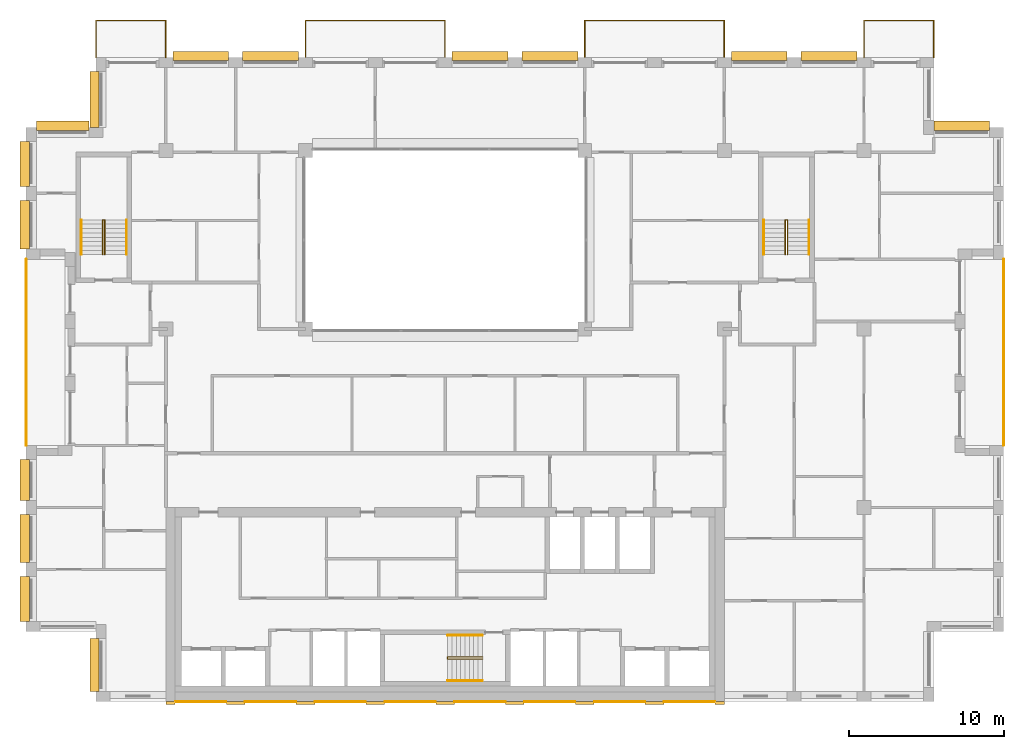
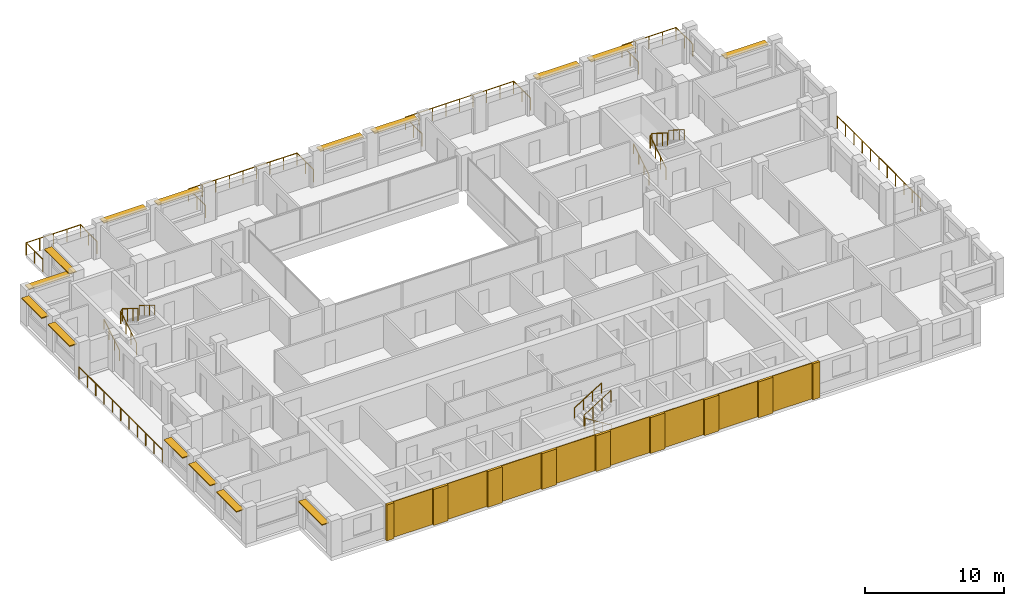
# One storey, part 15 of 15: 17 coverings, 15 railings, 15 shading devices.
"""IFC4 building model written with IfcOpenShell, lengths in metres."""

from ifc_helpers import new_model, si_unit, direction, frame, origin, origin_2d, place, context, subcontext, project, spatial, rectangle, circle, extrude, material, layer, layer_set, type_object, element, save


model = new_model("IFC4")

# Units and contexts
model_context = context("Model", 3, precision=1e-05, world=origin(), true_north=direction((0.0, 1.0)))
body_context = subcontext(model_context, "Body", "Model", "MODEL_VIEW")
ifc_project = project(units=[si_unit("LENGTHUNIT", "METRE"), si_unit("AREAUNIT", "SQUARE_METRE"), si_unit("VOLUMEUNIT", "CUBIC_METRE"), si_unit("PLANEANGLEUNIT", "RADIAN"), si_unit("MASSUNIT", "GRAM", prefix="KILO")], contexts=[model_context])

# Site, building, storey
site_placement = place(None, origin())
site = spatial("IfcSite", under=ifc_project, at=site_placement, CompositionType="ELEMENT")
building_placement = place(site_placement, origin())
building = spatial("IfcBuilding", under=site, at=building_placement, Name="Brigalow Station Residences", CompositionType="ELEMENT")
storey_placement = place(building_placement, frame((0.0, 0.0, 226.35009765625)))
storey = spatial("IfcBuildingStorey", under=building, at=storey_placement, Name="L65", CompositionType="ELEMENT", Elevation=226.35009765625)

# Railings
ifc_material_1 = material(Name="Stainless steel balustrade with laminated glass infill", Category="steel")
railing_type_1 = type_object("IfcRailingType", Name="BALCONY GUARD 1100", PredefinedType="GUARDRAIL", material=ifc_material_1)
railing_1_placement = place(storey_placement, frame((72.0, 16.5, -0.0400390625)))
element("IfcRailing", 1, at=railing_1_placement, inside=storey, type_object=railing_type_1, Name="L65/balcony-guard/1", PredefinedType="GUARDRAIL", context=body_context, shape_type="SweptSolid", body=[
    extrude(circle(Radius=0.02392578125, at=origin_2d()), frame((0.0, 0.0, 1.076171875), z_axis=(0.0, 1.0, 0.0), x_axis=(-1.0, 0.0, 0.0)), (0.0, 0.0, 1.0), 12.0),
    extrude(circle(Radius=0.02099609375, at=origin_2d()), origin(), (0.0, 0.0, 1.0), 1.052001953125),
    extrude(circle(Radius=0.02099609375, at=origin_2d()), frame((0.0, 1.199951171875, 0.0)), (0.0, 0.0, 1.0), 1.052001953125),
    extrude(circle(Radius=0.02099609375, at=origin_2d()), frame((0.0, 2.39990234375, 0.0)), (0.0, 0.0, 1.0), 1.052001953125),
    extrude(circle(Radius=0.02099609375, at=origin_2d()), frame((0.0, 3.60009765625, 0.0)), (0.0, 0.0, 1.0), 1.052001953125),
    extrude(circle(Radius=0.02099609375, at=origin_2d()), frame((0.0, 4.800048828125, 0.0)), (0.0, 0.0, 1.0), 1.052001953125),
    extrude(circle(Radius=0.02099609375, at=origin_2d()), frame((0.0, 6.0, 0.0)), (0.0, 0.0, 1.0), 1.052001953125),
    extrude(circle(Radius=0.02099609375, at=origin_2d()), frame((0.0, 7.199951171875, 0.0)), (0.0, 0.0, 1.0), 1.052001953125),
    extrude(circle(Radius=0.02099609375, at=origin_2d()), frame((0.0, 8.39990234375, 0.0)), (0.0, 0.0, 1.0), 1.052001953125),
    extrude(circle(Radius=0.02099609375, at=origin_2d()), frame((0.0, 9.60009765625, 0.0)), (0.0, 0.0, 1.0), 1.052001953125),
    extrude(circle(Radius=0.02099609375, at=origin_2d()), frame((0.0, 10.800048828125, 0.0)), (0.0, 0.0, 1.0), 1.052001953125),
    extrude(circle(Radius=0.02099609375, at=origin_2d()), frame((0.0, 12.0, 0.0)), (0.0, 0.0, 1.0), 1.052001953125),
])
railing_2_placement = place(storey_placement, frame((67.5, 41.5, -0.0400390625)))
element("IfcRailing", 2, at=railing_2_placement, inside=storey, type_object=railing_type_1, Name="L65/balcony-guard/2", PredefinedType="GUARDRAIL", context=body_context, shape_type="SweptSolid", body=[
    extrude(circle(Radius=0.02392578125, at=origin_2d()), frame((0.0, 0.0, 1.076171875), z_axis=(0.0, 1.0, 0.0), x_axis=(-1.0, 0.0, 0.0)), (0.0, 0.0, 1.0), 2.39990234375),
    extrude(circle(Radius=0.02392578125, at=origin_2d()), frame((0.0, 2.39990234375, 1.076171875), z_axis=(-1.0, 0.0, 0.0), x_axis=(0.0, -1.0, 0.0)), (0.0, 0.0, 1.0), 4.5),
    extrude(circle(Radius=0.02392578125, at=origin_2d()), frame((-4.5, 2.39990234375, 1.076171875), z_axis=(0.0, -1.0, 0.0), x_axis=(1.0, 0.0, 0.0)), (0.0, 0.0, 1.0), 2.39990234375),
    extrude(circle(Radius=0.02099609375, at=origin_2d()), origin(), (0.0, 0.0, 1.0), 1.052001953125),
    extrude(circle(Radius=0.02099609375, at=origin_2d()), frame((0.0, 1.199951171875, 0.0)), (0.0, 0.0, 1.0), 1.052001953125),
    extrude(circle(Radius=0.02099609375, at=origin_2d()), frame((0.0, 2.39990234375, 0.0)), (0.0, 0.0, 1.0), 1.052001953125),
    extrude(circle(Radius=0.02099609375, at=origin_2d()), frame((-1.125, 2.39990234375, 0.0)), (0.0, 0.0, 1.0), 1.052001953125),
    extrude(circle(Radius=0.02099609375, at=origin_2d()), frame((-2.25, 2.39990234375, 0.0)), (0.0, 0.0, 1.0), 1.052001953125),
    extrude(circle(Radius=0.02099609375, at=origin_2d()), frame((-3.375, 2.39990234375, 0.0)), (0.0, 0.0, 1.0), 1.052001953125),
    extrude(circle(Radius=0.02099609375, at=origin_2d()), frame((-4.5, 2.39990234375, 0.0)), (0.0, 0.0, 1.0), 1.052001953125),
    extrude(circle(Radius=0.02099609375, at=origin_2d()), frame((-4.5, 1.199951171875, 0.0)), (0.0, 0.0, 1.0), 1.052001953125),
    extrude(circle(Radius=0.02099609375, at=origin_2d()), frame((-4.5, 0.0, 0.0)), (0.0, 0.0, 1.0), 1.052001953125),
])
railing_3_placement = place(storey_placement, frame((54.0, 41.5, -0.0400390625)))
element("IfcRailing", 3, at=railing_3_placement, inside=storey, type_object=railing_type_1, Name="L65/balcony-guard/3", PredefinedType="GUARDRAIL", context=body_context, shape_type="SweptSolid", body=[
    extrude(circle(Radius=0.02392578125, at=origin_2d()), frame((0.0, 0.0, 1.076171875), z_axis=(0.0, 1.0, 0.0), x_axis=(-1.0, 0.0, 0.0)), (0.0, 0.0, 1.0), 2.39990234375),
    extrude(circle(Radius=0.02392578125, at=origin_2d()), frame((0.0, 2.39990234375, 1.076171875), z_axis=(-1.0, 0.0, 0.0), x_axis=(0.0, -1.0, 0.0)), (0.0, 0.0, 1.0), 9.0),
    extrude(circle(Radius=0.02392578125, at=origin_2d()), frame((-9.0, 2.39990234375, 1.076171875), z_axis=(0.0, -1.0, 0.0), x_axis=(1.0, 0.0, 0.0)), (0.0, 0.0, 1.0), 2.39990234375),
    extrude(circle(Radius=0.02099609375, at=origin_2d()), origin(), (0.0, 0.0, 1.0), 1.052001953125),
    extrude(circle(Radius=0.02099609375, at=origin_2d()), frame((0.0, 1.199951171875, 0.0)), (0.0, 0.0, 1.0), 1.052001953125),
    extrude(circle(Radius=0.02099609375, at=origin_2d()), frame((0.0, 2.39990234375, 0.0)), (0.0, 0.0, 1.0), 1.052001953125),
    extrude(circle(Radius=0.02099609375, at=origin_2d()), frame((-1.125, 2.39990234375, 0.0)), (0.0, 0.0, 1.0), 1.052001953125),
    extrude(circle(Radius=0.02099609375, at=origin_2d()), frame((-2.25, 2.39990234375, 0.0)), (0.0, 0.0, 1.0), 1.052001953125),
    extrude(circle(Radius=0.02099609375, at=origin_2d()), frame((-3.375, 2.39990234375, 0.0)), (0.0, 0.0, 1.0), 1.052001953125),
    extrude(circle(Radius=0.02099609375, at=origin_2d()), frame((-4.5, 2.39990234375, 0.0)), (0.0, 0.0, 1.0), 1.052001953125),
    extrude(circle(Radius=0.02099609375, at=origin_2d()), frame((-5.625, 2.39990234375, 0.0)), (0.0, 0.0, 1.0), 1.052001953125),
    extrude(circle(Radius=0.02099609375, at=origin_2d()), frame((-6.75, 2.39990234375, 0.0)), (0.0, 0.0, 1.0), 1.052001953125),
    extrude(circle(Radius=0.02099609375, at=origin_2d()), frame((-7.875, 2.39990234375, 0.0)), (0.0, 0.0, 1.0), 1.052001953125),
    extrude(circle(Radius=0.02099609375, at=origin_2d()), frame((-9.0, 2.39990234375, 0.0)), (0.0, 0.0, 1.0), 1.052001953125),
    extrude(circle(Radius=0.02099609375, at=origin_2d()), frame((-9.0, 1.199951171875, 0.0)), (0.0, 0.0, 1.0), 1.052001953125),
    extrude(circle(Radius=0.02099609375, at=origin_2d()), frame((-9.0, 0.0, 0.0)), (0.0, 0.0, 1.0), 1.052001953125),
])
railing_4_placement = place(storey_placement, frame((36.0, 41.5, -0.0400390625)))
element("IfcRailing", 4, at=railing_4_placement, inside=storey, type_object=railing_type_1, Name="L65/balcony-guard/4", PredefinedType="GUARDRAIL", context=body_context, shape_type="SweptSolid", body=[
    extrude(circle(Radius=0.02392578125, at=origin_2d()), frame((0.0, 0.0, 1.076171875), z_axis=(0.0, 1.0, 0.0), x_axis=(-1.0, 0.0, 0.0)), (0.0, 0.0, 1.0), 2.39990234375),
    extrude(circle(Radius=0.02392578125, at=origin_2d()), frame((0.0, 2.39990234375, 1.076171875), z_axis=(-1.0, 0.0, 0.0), x_axis=(0.0, -1.0, 0.0)), (0.0, 0.0, 1.0), 9.0),
    extrude(circle(Radius=0.02392578125, at=origin_2d()), frame((-9.0, 2.39990234375, 1.076171875), z_axis=(0.0, -1.0, 0.0), x_axis=(1.0, 0.0, 0.0)), (0.0, 0.0, 1.0), 2.39990234375),
    extrude(circle(Radius=0.02099609375, at=origin_2d()), origin(), (0.0, 0.0, 1.0), 1.052001953125),
    extrude(circle(Radius=0.02099609375, at=origin_2d()), frame((0.0, 1.199951171875, 0.0)), (0.0, 0.0, 1.0), 1.052001953125),
    extrude(circle(Radius=0.02099609375, at=origin_2d()), frame((0.0, 2.39990234375, 0.0)), (0.0, 0.0, 1.0), 1.052001953125),
    extrude(circle(Radius=0.02099609375, at=origin_2d()), frame((-1.125, 2.39990234375, 0.0)), (0.0, 0.0, 1.0), 1.052001953125),
    extrude(circle(Radius=0.02099609375, at=origin_2d()), frame((-2.25, 2.39990234375, 0.0)), (0.0, 0.0, 1.0), 1.052001953125),
    extrude(circle(Radius=0.02099609375, at=origin_2d()), frame((-3.375, 2.39990234375, 0.0)), (0.0, 0.0, 1.0), 1.052001953125),
    extrude(circle(Radius=0.02099609375, at=origin_2d()), frame((-4.5, 2.39990234375, 0.0)), (0.0, 0.0, 1.0), 1.052001953125),
    extrude(circle(Radius=0.02099609375, at=origin_2d()), frame((-5.625, 2.39990234375, 0.0)), (0.0, 0.0, 1.0), 1.052001953125),
    extrude(circle(Radius=0.02099609375, at=origin_2d()), frame((-6.75, 2.39990234375, 0.0)), (0.0, 0.0, 1.0), 1.052001953125),
    extrude(circle(Radius=0.02099609375, at=origin_2d()), frame((-7.875, 2.39990234375, 0.0)), (0.0, 0.0, 1.0), 1.052001953125),
    extrude(circle(Radius=0.02099609375, at=origin_2d()), frame((-9.0, 2.39990234375, 0.0)), (0.0, 0.0, 1.0), 1.052001953125),
    extrude(circle(Radius=0.02099609375, at=origin_2d()), frame((-9.0, 1.199951171875, 0.0)), (0.0, 0.0, 1.0), 1.052001953125),
    extrude(circle(Radius=0.02099609375, at=origin_2d()), frame((-9.0, 0.0, 0.0)), (0.0, 0.0, 1.0), 1.052001953125),
])
railing_5_placement = place(storey_placement, frame((18.0, 41.5, -0.0400390625)))
element("IfcRailing", 5, at=railing_5_placement, inside=storey, type_object=railing_type_1, Name="L65/balcony-guard/5", PredefinedType="GUARDRAIL", context=body_context, shape_type="SweptSolid", body=[
    extrude(circle(Radius=0.02392578125, at=origin_2d()), frame((0.0, 0.0, 1.076171875), z_axis=(0.0, 1.0, 0.0), x_axis=(-1.0, 0.0, 0.0)), (0.0, 0.0, 1.0), 2.39990234375),
    extrude(circle(Radius=0.02392578125, at=origin_2d()), frame((0.0, 2.39990234375, 1.076171875), z_axis=(-1.0, 0.0, 0.0), x_axis=(0.0, -1.0, 0.0)), (0.0, 0.0, 1.0), 4.5),
    extrude(circle(Radius=0.02392578125, at=origin_2d()), frame((-4.5, 2.39990234375, 1.076171875), z_axis=(0.0, -1.0, 0.0), x_axis=(1.0, 0.0, 0.0)), (0.0, 0.0, 1.0), 2.39990234375),
    extrude(circle(Radius=0.02099609375, at=origin_2d()), origin(), (0.0, 0.0, 1.0), 1.052001953125),
    extrude(circle(Radius=0.02099609375, at=origin_2d()), frame((0.0, 1.199951171875, 0.0)), (0.0, 0.0, 1.0), 1.052001953125),
    extrude(circle(Radius=0.02099609375, at=origin_2d()), frame((0.0, 2.39990234375, 0.0)), (0.0, 0.0, 1.0), 1.052001953125),
    extrude(circle(Radius=0.02099609375, at=origin_2d()), frame((-1.125, 2.39990234375, 0.0)), (0.0, 0.0, 1.0), 1.052001953125),
    extrude(circle(Radius=0.02099609375, at=origin_2d()), frame((-2.25, 2.39990234375, 0.0)), (0.0, 0.0, 1.0), 1.052001953125),
    extrude(circle(Radius=0.02099609375, at=origin_2d()), frame((-3.375, 2.39990234375, 0.0)), (0.0, 0.0, 1.0), 1.052001953125),
    extrude(circle(Radius=0.02099609375, at=origin_2d()), frame((-4.5, 2.39990234375, 0.0)), (0.0, 0.0, 1.0), 1.052001953125),
    extrude(circle(Radius=0.02099609375, at=origin_2d()), frame((-4.5, 1.199951171875, 0.0)), (0.0, 0.0, 1.0), 1.052001953125),
    extrude(circle(Radius=0.02099609375, at=origin_2d()), frame((-4.5, 0.0, 0.0)), (0.0, 0.0, 1.0), 1.052001953125),
])
railing_6_placement = place(storey_placement, frame((9.0, 28.5, -0.0400390625)))
element("IfcRailing", 6, at=railing_6_placement, inside=storey, type_object=railing_type_1, Name="L65/balcony-guard/6", PredefinedType="GUARDRAIL", context=body_context, shape_type="SweptSolid", body=[
    extrude(circle(Radius=0.02392578125, at=origin_2d()), frame((0.0, 0.0, 1.076171875), z_axis=(0.0, -1.0, 0.0), x_axis=(1.0, 0.0, 0.0)), (0.0, 0.0, 1.0), 12.0),
    extrude(circle(Radius=0.02099609375, at=origin_2d()), origin(), (0.0, 0.0, 1.0), 1.052001953125),
    extrude(circle(Radius=0.02099609375, at=origin_2d()), frame((0.0, -1.199951171875, 0.0)), (0.0, 0.0, 1.0), 1.052001953125),
    extrude(circle(Radius=0.02099609375, at=origin_2d()), frame((0.0, -2.39990234375, 0.0)), (0.0, 0.0, 1.0), 1.052001953125),
    extrude(circle(Radius=0.02099609375, at=origin_2d()), frame((0.0, -3.60009765625, 0.0)), (0.0, 0.0, 1.0), 1.052001953125),
    extrude(circle(Radius=0.02099609375, at=origin_2d()), frame((0.0, -4.800048828125, 0.0)), (0.0, 0.0, 1.0), 1.052001953125),
    extrude(circle(Radius=0.02099609375, at=origin_2d()), frame((0.0, -6.0, 0.0)), (0.0, 0.0, 1.0), 1.052001953125),
    extrude(circle(Radius=0.02099609375, at=origin_2d()), frame((0.0, -7.199951171875, 0.0)), (0.0, 0.0, 1.0), 1.052001953125),
    extrude(circle(Radius=0.02099609375, at=origin_2d()), frame((0.0, -8.39990234375, 0.0)), (0.0, 0.0, 1.0), 1.052001953125),
    extrude(circle(Radius=0.02099609375, at=origin_2d()), frame((0.0, -9.60009765625, 0.0)), (0.0, 0.0, 1.0), 1.052001953125),
    extrude(circle(Radius=0.02099609375, at=origin_2d()), frame((0.0, -10.800048828125, 0.0)), (0.0, 0.0, 1.0), 1.052001953125),
    extrude(circle(Radius=0.02099609375, at=origin_2d()), frame((0.0, -12.0, 0.0)), (0.0, 0.0, 1.0), 1.052001953125),
])

# Coverings
ifc_material_2 = material(Name="Clay brick masonry", Category="masonry")
ifc_layer_1 = layer(ifc_material_2, 0.06005859375)
ifc_layer_set_1 = layer_set([ifc_layer_1], Name="BRICK PANEL FACING 60")
covering_type_1 = type_object("IfcCoveringType", Name="BRICK PANEL FACING 60", PredefinedType="CLADDING", material=ifc_layer_set_1)
for number, where, z_axis, x_axis, name in (
    (7, (20.25, -0.030029296875, 0.0), (0.0, 0.0, 1.0), (1.0, 0.0, 0.0), "L65/rear-facing/panel-1"),
    (8, (24.75, -0.030029296875, 0.0), (0.0, 0.0, 1.0), (1.0, 0.0, 0.0), "L65/rear-facing/panel-2"),
    (9, (29.25, -0.030029296875, 0.0), (0.0, 0.0, 1.0), (1.0, 0.0, 0.0), "L65/rear-facing/panel-3"),
    (10, (33.75, -0.030029296875, 0.0), (0.0, 0.0, 1.0), (1.0, 0.0, 0.0), "L65/rear-facing/panel-4"),
    (11, (38.25, -0.030029296875, 0.0), (0.0, 0.0, 1.0), (1.0, 0.0, 0.0), "L65/rear-facing/panel-5"),
    (12, (42.75, -0.030029296875, 0.0), (0.0, 0.0, 1.0), (1.0, 0.0, 0.0), "L65/rear-facing/panel-6"),
    (13, (47.25, -0.030029296875, 0.0), (0.0, 0.0, 1.0), (1.0, 0.0, 0.0), "L65/rear-facing/panel-7"),
    (14, (51.75, -0.030029296875, 0.0), (0.0, 0.0, 1.0), (1.0, 0.0, 0.0), "L65/rear-facing/panel-8"),
):
    element("IfcCovering", number, at=place(storey_placement, frame(where, z_axis=z_axis, x_axis=x_axis)), inside=storey, type_object=covering_type_1, Name=name, PredefinedType="CLADDING", context=body_context, shape_type="SweptSolid", body=[
        extrude(rectangle(XDim=3.300048828125, YDim=0.06005859375, at=origin_2d()), origin(), (0.0, 0.0, 1.0), 3.14990234375),
    ])
ifc_material_3 = material(Name="Clay brick masonry", Category="masonry")
ifc_layer_2 = layer(ifc_material_3, 0.199951171875)
ifc_layer_set_2 = layer_set([ifc_layer_2], Name="BRICK PIER FACING 200")
covering_type_2 = type_object("IfcCoveringType", Name="BRICK PIER FACING 200", PredefinedType="CLADDING", material=ifc_layer_set_2)
covering_1_placement = place(storey_placement, frame((18.300048828125, -0.10009765625, 0.0), z_axis=(0.0, 0.0, 1.0), x_axis=(1.0, 0.0, 0.0)))
element("IfcCovering", 15, at=covering_1_placement, inside=storey, type_object=covering_type_2, Name="L65/rear-facing/pier-1", PredefinedType="CLADDING", context=body_context, shape_type="SweptSolid", body=[
    extrude(rectangle(XDim=0.60009765625, YDim=0.199951171875, at=origin_2d()), origin(), (0.0, 0.0, 1.0), 3.14990234375),
])
for number, where, z_axis, x_axis, name in (
    (16, (22.5, -0.10009765625, 0.0), (0.0, 0.0, 1.0), (1.0, 0.0, 0.0), "L65/rear-facing/pier-2"),
    (17, (27.0, -0.10009765625, 0.0), (0.0, 0.0, 1.0), (1.0, 0.0, 0.0), "L65/rear-facing/pier-3"),
    (18, (31.5, -0.10009765625, 0.0), (0.0, 0.0, 1.0), (1.0, 0.0, 0.0), "L65/rear-facing/pier-4"),
    (19, (36.0, -0.10009765625, 0.0), (0.0, 0.0, 1.0), (1.0, 0.0, 0.0), "L65/rear-facing/pier-5"),
    (20, (40.5, -0.10009765625, 0.0), (0.0, 0.0, 1.0), (1.0, 0.0, 0.0), "L65/rear-facing/pier-6"),
    (21, (45.0, -0.10009765625, 0.0), (0.0, 0.0, 1.0), (1.0, 0.0, 0.0), "L65/rear-facing/pier-7"),
    (22, (49.5, -0.10009765625, 0.0), (0.0, 0.0, 1.0), (1.0, 0.0, 0.0), "L65/rear-facing/pier-8"),
):
    element("IfcCovering", number, at=place(storey_placement, frame(where, z_axis=z_axis, x_axis=x_axis)), inside=storey, type_object=covering_type_2, Name=name, PredefinedType="CLADDING", context=body_context, shape_type="SweptSolid", body=[
        extrude(rectangle(XDim=1.199951171875, YDim=0.199951171875, at=origin_2d()), origin(), (0.0, 0.0, 1.0), 3.14990234375),
    ])
covering_2_placement = place(storey_placement, frame((53.699951171875, -0.10009765625, 0.0), z_axis=(0.0, 0.0, 1.0), x_axis=(1.0, 0.0, 0.0)))
element("IfcCovering", 23, at=covering_2_placement, inside=storey, type_object=covering_type_2, Name="L65/rear-facing/pier-9", PredefinedType="CLADDING", context=body_context, shape_type="SweptSolid", body=[
    extrude(rectangle(XDim=0.60009765625, YDim=0.199951171875, at=origin_2d()), origin(), (0.0, 0.0, 1.0), 3.14990234375),
])

# Railings
ifc_material_4 = material(Name="Stainless steel balustrade", Category="steel")
railing_type_2 = type_object("IfcRailingType", Name="STAIR GUARD 1100", PredefinedType="GUARDRAIL", material=ifc_material_4)
railing_7_placement = place(storey_placement, frame((38.39990234375, 2.72998046875, 0.1748046875)))
element("IfcRailing", 24, at=railing_7_placement, inside=storey, type_object=railing_type_2, Name="GUARD GR-2", PredefinedType="GUARDRAIL", context=body_context, shape_type="SweptSolid", body=[
    extrude(circle(Radius=0.02392578125, at=origin_2d()), frame((0.0, 0.0, 1.076171875), z_axis=(-0.847972341737, 0.0, 0.530040477369), x_axis=(0.0, -1.0, 0.0)), (0.0, 0.0, 1.0), 2.6416015625),
    extrude(circle(Radius=0.02392578125, at=origin_2d()), frame((-2.239990234375, 0.0, 2.47607421875), z_axis=(0.0, 0.624960567888, 0.780656319122), x_axis=(-1.0, 0.0, 0.0)), (0.0, 0.0, 1.0), 0.22412109375),
    extrude(circle(Radius=0.02392578125, at=origin_2d()), frame((-2.239990234375, 0.14013671875, 2.6513671875), z_axis=(0.848013881152, 0.0, 0.529974015752), x_axis=(0.0, 1.0, 0.0)), (0.0, 0.0, 1.0), 2.641357421875),
    extrude(circle(Radius=0.02099609375, at=origin_2d()), origin(), (0.0, 0.0, 1.0), 1.052001953125),
    extrude(circle(Radius=0.02099609375, at=origin_2d()), frame((-0.74658203125, 0.0, 0.466796875)), (0.0, 0.0, 1.0), 1.052001953125),
    extrude(circle(Radius=0.02099609375, at=origin_2d()), frame((-1.493408203125, 0.0, 0.933349609375)), (0.0, 0.0, 1.0), 1.052001953125),
    extrude(circle(Radius=0.02099609375, at=origin_2d()), frame((-2.239990234375, 0.0, 1.400146484375)), (0.0, 0.0, 1.0), 1.052001953125),
    extrude(circle(Radius=0.02099609375, at=origin_2d()), frame((-2.239990234375, 0.14013671875, 1.5751953125)), (0.0, 0.0, 1.0), 1.052001953125),
    extrude(circle(Radius=0.02099609375, at=origin_2d()), frame((-1.493408203125, 0.14013671875, 2.041748046875)), (0.0, 0.0, 1.0), 1.052001953125),
    extrude(circle(Radius=0.02099609375, at=origin_2d()), frame((-0.74658203125, 0.14013671875, 2.508544921875)), (0.0, 0.0, 1.0), 1.052001953125),
    extrude(circle(Radius=0.02099609375, at=origin_2d()), frame((0.0, 0.14013671875, 2.97509765625)), (0.0, 0.0, 1.0), 1.052001953125),
])
for number, where, name in (
    (25, (13.929931640625, 28.800048828125, 0.1748046875), "GUARD GR-1"),
    (26, (57.929931640625, 28.800048828125, 0.1748046875), "GUARD GR-3"),
):
    element("IfcRailing", number, at=place(storey_placement, frame(where)), inside=storey, type_object=railing_type_2, Name=name, PredefinedType="GUARDRAIL", context=body_context, shape_type="SweptSolid", body=[
        extrude(circle(Radius=0.02392578125, at=origin_2d()), frame((0.0, 0.0, 1.076171875), z_axis=(0.0, 0.847972341737, 0.530040477369), x_axis=(-1.0, 0.0, 0.0)), (0.0, 0.0, 1.0), 2.6416015625),
        extrude(circle(Radius=0.02392578125, at=origin_2d()), frame((0.0, 2.239990234375, 2.47607421875), z_axis=(0.624960567888, 0.0, 0.780656319122), x_axis=(0.0, 1.0, 0.0)), (0.0, 0.0, 1.0), 0.22412109375),
        extrude(circle(Radius=0.02392578125, at=origin_2d()), frame((0.14013671875, 2.239990234375, 2.6513671875), z_axis=(0.0, -0.848013881152, 0.529974015752), x_axis=(1.0, 0.0, 0.0)), (0.0, 0.0, 1.0), 2.641357421875),
        extrude(circle(Radius=0.02099609375, at=origin_2d()), origin(), (0.0, 0.0, 1.0), 1.052001953125),
        extrude(circle(Radius=0.02099609375, at=origin_2d()), frame((0.0, 0.74658203125, 0.466796875)), (0.0, 0.0, 1.0), 1.052001953125),
        extrude(circle(Radius=0.02099609375, at=origin_2d()), frame((0.0, 1.493408203125, 0.933349609375)), (0.0, 0.0, 1.0), 1.052001953125),
        extrude(circle(Radius=0.02099609375, at=origin_2d()), frame((0.0, 2.239990234375, 1.400146484375)), (0.0, 0.0, 1.0), 1.052001953125),
        extrude(circle(Radius=0.02099609375, at=origin_2d()), frame((0.14013671875, 2.239990234375, 1.5751953125)), (0.0, 0.0, 1.0), 1.052001953125),
        extrude(circle(Radius=0.02099609375, at=origin_2d()), frame((0.14013671875, 1.493408203125, 2.041748046875)), (0.0, 0.0, 1.0), 1.052001953125),
        extrude(circle(Radius=0.02099609375, at=origin_2d()), frame((0.14013671875, 0.74658203125, 2.508544921875)), (0.0, 0.0, 1.0), 1.052001953125),
        extrude(circle(Radius=0.02099609375, at=origin_2d()), frame((0.14013671875, 0.0, 2.97509765625)), (0.0, 0.0, 1.0), 1.052001953125),
    ])
ifc_material_5 = material(Name="Stainless steel handrail", Category="steel")
railing_type_3 = type_object("IfcRailingType", Name="STAIR HANDRAIL 900", PredefinedType="HANDRAIL", material=ifc_material_5)
railing_8_placement = place(storey_placement, frame((38.39990234375, 1.340087890625, 0.1748046875)))
element("IfcRailing", 27, at=railing_8_placement, inside=storey, type_object=railing_type_3, Name="HANDRAIL HR-21", PredefinedType="HANDRAIL", context=body_context, shape_type="SweptSolid", body=[
    extrude(circle(Radius=0.02392578125, at=origin_2d()), frame((0.0, 0.0, 0.8759765625), z_axis=(-0.847972341737, 0.0, 0.530040477369), x_axis=(0.0, -1.0, 0.0)), (0.0, 0.0, 1.0), 2.6416015625),
    extrude(circle(Radius=0.02099609375, at=origin_2d()), origin(), (0.0, 0.0, 1.0), 0.851806640625),
    extrude(circle(Radius=0.02099609375, at=origin_2d()), frame((-0.74658203125, 0.0, 0.466796875)), (0.0, 0.0, 1.0), 0.851806640625),
    extrude(circle(Radius=0.02099609375, at=origin_2d()), frame((-1.493408203125, 0.0, 0.933349609375)), (0.0, 0.0, 1.0), 0.851806640625),
    extrude(circle(Radius=0.02099609375, at=origin_2d()), frame((-2.239990234375, 0.0, 1.400146484375)), (0.0, 0.0, 1.0), 0.851806640625),
])
railing_9_placement = place(storey_placement, frame((36.159912109375, 4.260009765625, 1.75)))
element("IfcRailing", 28, at=railing_9_placement, inside=storey, type_object=railing_type_3, Name="HANDRAIL HR-22", PredefinedType="HANDRAIL", context=body_context, shape_type="SweptSolid", body=[
    extrude(circle(Radius=0.02392578125, at=origin_2d()), frame((0.0, 0.0, 0.8759765625), z_axis=(0.848013881152, 0.0, 0.529974015752), x_axis=(0.0, 1.0, 0.0)), (0.0, 0.0, 1.0), 2.641357421875),
    extrude(circle(Radius=0.02099609375, at=origin_2d()), origin(), (0.0, 0.0, 1.0), 0.851806640625),
    extrude(circle(Radius=0.02099609375, at=origin_2d()), frame((0.74658203125, 0.0, 0.466552734375)), (0.0, 0.0, 1.0), 0.851806640625),
    extrude(circle(Radius=0.02099609375, at=origin_2d()), frame((1.493408203125, 0.0, 0.933349609375)), (0.0, 0.0, 1.0), 0.851806640625),
    extrude(circle(Radius=0.02099609375, at=origin_2d()), frame((2.239990234375, 0.0, 1.39990234375)), (0.0, 0.0, 1.0), 0.851806640625),
])
railing_10_placement = place(storey_placement, frame((12.5400390625, 28.800048828125, 0.1748046875)))
element("IfcRailing", 29, at=railing_10_placement, inside=storey, type_object=railing_type_3, Name="HANDRAIL HR-11", PredefinedType="HANDRAIL", context=body_context, shape_type="SweptSolid", body=[
    extrude(circle(Radius=0.02392578125, at=origin_2d()), frame((0.0, 0.0, 0.8759765625), z_axis=(0.0, 0.847972341737, 0.530040477369), x_axis=(-1.0, 0.0, 0.0)), (0.0, 0.0, 1.0), 2.6416015625),
    extrude(circle(Radius=0.02099609375, at=origin_2d()), origin(), (0.0, 0.0, 1.0), 0.851806640625),
    extrude(circle(Radius=0.02099609375, at=origin_2d()), frame((0.0, 0.74658203125, 0.466796875)), (0.0, 0.0, 1.0), 0.851806640625),
    extrude(circle(Radius=0.02099609375, at=origin_2d()), frame((0.0, 1.493408203125, 0.933349609375)), (0.0, 0.0, 1.0), 0.851806640625),
    extrude(circle(Radius=0.02099609375, at=origin_2d()), frame((0.0, 2.239990234375, 1.400146484375)), (0.0, 0.0, 1.0), 0.851806640625),
])
railing_11_placement = place(storey_placement, frame((15.4599609375, 31.0400390625, 1.75)))
element("IfcRailing", 30, at=railing_11_placement, inside=storey, type_object=railing_type_3, Name="HANDRAIL HR-12", PredefinedType="HANDRAIL", context=body_context, shape_type="SweptSolid", body=[
    extrude(circle(Radius=0.02392578125, at=origin_2d()), frame((0.0, 0.0, 0.8759765625), z_axis=(0.0, -0.848013881152, 0.529974015752), x_axis=(1.0, 0.0, 0.0)), (0.0, 0.0, 1.0), 2.641357421875),
    extrude(circle(Radius=0.02099609375, at=origin_2d()), origin(), (0.0, 0.0, 1.0), 0.851806640625),
    extrude(circle(Radius=0.02099609375, at=origin_2d()), frame((0.0, -0.74658203125, 0.466552734375)), (0.0, 0.0, 1.0), 0.851806640625),
    extrude(circle(Radius=0.02099609375, at=origin_2d()), frame((0.0, -1.493408203125, 0.933349609375)), (0.0, 0.0, 1.0), 0.851806640625),
    extrude(circle(Radius=0.02099609375, at=origin_2d()), frame((0.0, -2.239990234375, 1.39990234375)), (0.0, 0.0, 1.0), 0.851806640625),
])
railing_12_placement = place(storey_placement, frame((56.5400390625, 28.800048828125, 0.1748046875)))
element("IfcRailing", 31, at=railing_12_placement, inside=storey, type_object=railing_type_3, Name="HANDRAIL HR-31", PredefinedType="HANDRAIL", context=body_context, shape_type="SweptSolid", body=[
    extrude(circle(Radius=0.02392578125, at=origin_2d()), frame((0.0, 0.0, 0.8759765625), z_axis=(0.0, 0.847972341737, 0.530040477369), x_axis=(-1.0, 0.0, 0.0)), (0.0, 0.0, 1.0), 2.6416015625),
    extrude(circle(Radius=0.02099609375, at=origin_2d()), origin(), (0.0, 0.0, 1.0), 0.851806640625),
    extrude(circle(Radius=0.02099609375, at=origin_2d()), frame((0.0, 0.74658203125, 0.466796875)), (0.0, 0.0, 1.0), 0.851806640625),
    extrude(circle(Radius=0.02099609375, at=origin_2d()), frame((0.0, 1.493408203125, 0.933349609375)), (0.0, 0.0, 1.0), 0.851806640625),
    extrude(circle(Radius=0.02099609375, at=origin_2d()), frame((0.0, 2.239990234375, 1.400146484375)), (0.0, 0.0, 1.0), 0.851806640625),
])
railing_13_placement = place(storey_placement, frame((59.4599609375, 31.0400390625, 1.75)))
element("IfcRailing", 32, at=railing_13_placement, inside=storey, type_object=railing_type_3, Name="HANDRAIL HR-32", PredefinedType="HANDRAIL", context=body_context, shape_type="SweptSolid", body=[
    extrude(circle(Radius=0.02392578125, at=origin_2d()), frame((0.0, 0.0, 0.8759765625), z_axis=(0.0, -0.848013881152, 0.529974015752), x_axis=(1.0, 0.0, 0.0)), (0.0, 0.0, 1.0), 2.641357421875),
    extrude(circle(Radius=0.02099609375, at=origin_2d()), origin(), (0.0, 0.0, 1.0), 0.851806640625),
    extrude(circle(Radius=0.02099609375, at=origin_2d()), frame((0.0, -0.74658203125, 0.466552734375)), (0.0, 0.0, 1.0), 0.851806640625),
    extrude(circle(Radius=0.02099609375, at=origin_2d()), frame((0.0, -1.493408203125, 0.933349609375)), (0.0, 0.0, 1.0), 0.851806640625),
    extrude(circle(Radius=0.02099609375, at=origin_2d()), frame((0.0, -2.239990234375, 1.39990234375)), (0.0, 0.0, 1.0), 0.851806640625),
])

# Shading devices
ifc_material_6 = material(Name="Powder-coated extruded aluminium blade", Category="aluminium")
ifc_layer_3 = layer(ifc_material_6, 0.080078125)
ifc_layer_set_3 = layer_set([ifc_layer_3], Name="SUNSHADE BLADE 600x80")
shading_device_type = type_object("IfcShadingDeviceType", Name="SUNSHADE BLADE 600x80", PredefinedType="JALOUSIE", material=ifc_layer_set_3)
for number, where, z_axis, x_axis, name in (
    (33, (69.300048828125, 37.10009765625, 2.5498046875), (0.0, 0.0, 1.0), (-1.0, 0.0, 0.0), "L65/blade/W-L65-18"),
    (34, (60.75, 41.60009765625, 2.5498046875), (0.0, 0.0, 1.0), (-1.0, 0.0, 0.0), "L65/blade/W-L65-21"),
    (35, (56.25, 41.60009765625, 2.5498046875), (0.0, 0.0, 1.0), (-1.0, 0.0, 0.0), "L65/blade/W-L65-22"),
    (36, (42.75, 41.60009765625, 2.5498046875), (0.0, 0.0, 1.0), (-1.0, 0.0, 0.0), "L65/blade/W-L65-25"),
    (37, (38.25, 41.60009765625, 2.5498046875), (0.0, 0.0, 1.0), (-1.0, 0.0, 0.0), "L65/blade/W-L65-26"),
    (38, (24.75, 41.60009765625, 2.5498046875), (0.0, 0.0, 1.0), (-1.0, 0.0, 0.0), "L65/blade/W-L65-29"),
    (39, (20.25, 41.60009765625, 2.5498046875), (0.0, 0.0, 1.0), (-1.0, 0.0, 0.0), "L65/blade/W-L65-30"),
    (40, (13.39990234375, 38.800048828125, 2.5498046875), (0.0, 0.0, 1.0), (0.0, -1.0, 0.0), "L65/blade/W-L65-32"),
):
    element("IfcShadingDevice", number, at=place(storey_placement, frame(where, z_axis=z_axis, x_axis=x_axis)), inside=storey, type_object=shading_device_type, Name=name, PredefinedType="JALOUSIE", context=body_context, shape_type="SweptSolid", body=[
        extrude(rectangle(XDim=3.60009765625, YDim=0.60009765625, at=origin_2d()), origin(), (0.0, 0.0, 1.0), 0.080078125),
    ])
shading_device_1_placement = place(storey_placement, frame((11.35009765625, 37.10009765625, 2.5498046875), z_axis=(0.0, 0.0, 1.0), x_axis=(-1.0, 0.0, 0.0)))
element("IfcShadingDevice", 41, at=shading_device_1_placement, inside=storey, type_object=shading_device_type, Name="L65/blade/W-L65-33", PredefinedType="JALOUSIE", context=body_context, shape_type="SweptSolid", body=[
    extrude(rectangle(XDim=3.39990234375, YDim=0.60009765625, at=origin_2d()), origin(), (0.0, 0.0, 1.0), 0.080078125),
])
shading_device_2_placement = place(storey_placement, frame((8.89990234375, 34.64990234375, 2.5498046875), z_axis=(0.0, 0.0, 1.0), x_axis=(0.0, -1.0, 0.0)))
element("IfcShadingDevice", 42, at=shading_device_2_placement, inside=storey, type_object=shading_device_type, Name="L65/blade/W-L65-34", PredefinedType="JALOUSIE", context=body_context, shape_type="SweptSolid", body=[
    extrude(rectangle(XDim=2.89990234375, YDim=0.60009765625, at=origin_2d()), origin(), (0.0, 0.0, 1.0), 0.080078125),
])
shading_device_3_placement = place(storey_placement, frame((8.89990234375, 30.72509765625, 2.5498046875), z_axis=(0.0, 0.0, 1.0), x_axis=(0.0, -1.0, 0.0)))
element("IfcShadingDevice", 43, at=shading_device_3_placement, inside=storey, type_object=shading_device_type, Name="L65/blade/W-L65-35", PredefinedType="JALOUSIE", context=body_context, shape_type="SweptSolid", body=[
    extrude(rectangle(XDim=3.14990234375, YDim=0.60009765625, at=origin_2d()), origin(), (0.0, 0.0, 1.0), 0.080078125),
])
shading_device_4_placement = place(storey_placement, frame((8.89990234375, 14.27490234375, 2.5498046875), z_axis=(0.0, 0.0, 1.0), x_axis=(0.0, -1.0, 0.0)))
element("IfcShadingDevice", 44, at=shading_device_4_placement, inside=storey, type_object=shading_device_type, Name="L65/blade/W-L65-41", PredefinedType="JALOUSIE", context=body_context, shape_type="SweptSolid", body=[
    extrude(rectangle(XDim=2.64990234375, YDim=0.60009765625, at=origin_2d()), origin(), (0.0, 0.0, 1.0), 0.080078125),
])
shading_device_5_placement = place(storey_placement, frame((8.89990234375, 10.5, 2.5498046875), z_axis=(0.0, 0.0, 1.0), x_axis=(0.0, -1.0, 0.0)))
element("IfcShadingDevice", 45, at=shading_device_5_placement, inside=storey, type_object=shading_device_type, Name="L65/blade/W-L65-42", PredefinedType="JALOUSIE", context=body_context, shape_type="SweptSolid", body=[
    extrude(rectangle(XDim=3.10009765625, YDim=0.60009765625, at=origin_2d()), origin(), (0.0, 0.0, 1.0), 0.080078125),
])
shading_device_6_placement = place(storey_placement, frame((8.89990234375, 6.60009765625, 2.5498046875), z_axis=(0.0, 0.0, 1.0), x_axis=(0.0, -1.0, 0.0)))
element("IfcShadingDevice", 46, at=shading_device_6_placement, inside=storey, type_object=shading_device_type, Name="L65/blade/W-L65-43", PredefinedType="JALOUSIE", context=body_context, shape_type="SweptSolid", body=[
    extrude(rectangle(XDim=2.89990234375, YDim=0.60009765625, at=origin_2d()), origin(), (0.0, 0.0, 1.0), 0.080078125),
])
shading_device_7_placement = place(storey_placement, frame((13.39990234375, 2.35009765625, 2.5498046875), z_axis=(0.0, 0.0, 1.0), x_axis=(0.0, -1.0, 0.0)))
element("IfcShadingDevice", 47, at=shading_device_7_placement, inside=storey, type_object=shading_device_type, Name="L65/blade/W-L65-45", PredefinedType="JALOUSIE", context=body_context, shape_type="SweptSolid", body=[
    extrude(rectangle(XDim=3.39990234375, YDim=0.60009765625, at=origin_2d()), origin(), (0.0, 0.0, 1.0), 0.080078125),
])

save(model, "model.ifc")
